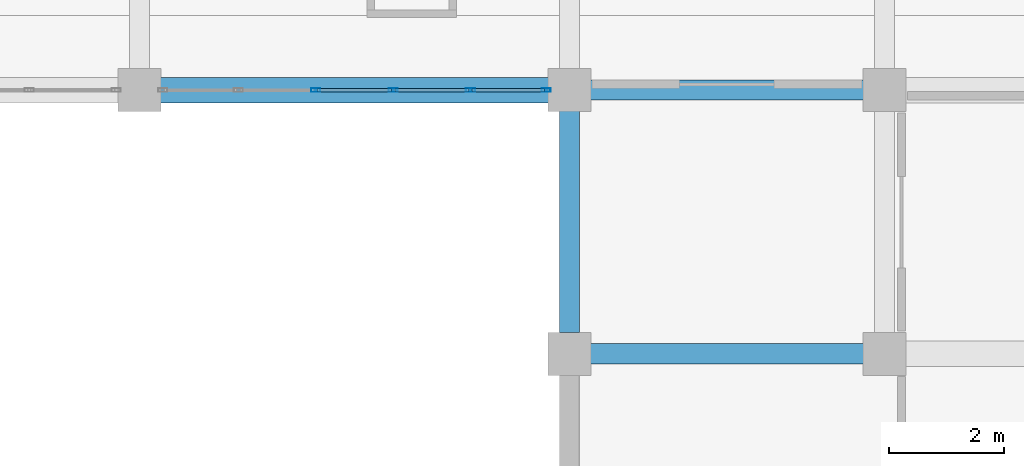
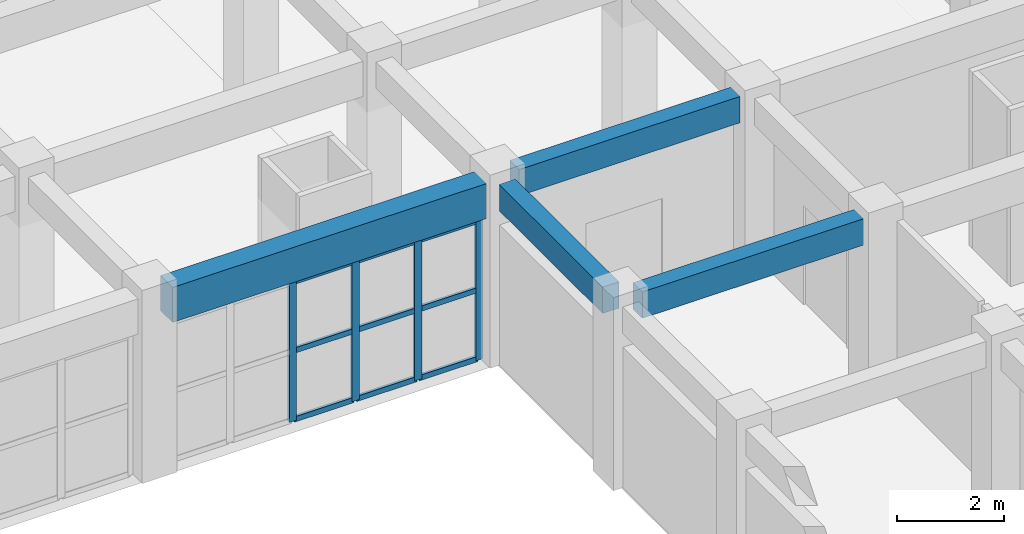
# One storey, part 69 of 116: 13 members, 4 beams, 1 element without a shape of its own.
"""IFC4 building model written with IfcOpenShell, lengths in metres."""

from ifc_helpers import new_model, si_unit, direction, frame, origin, origin_2d, place, context, subcontext, project, spatial, rectangle, hollow_rectangle, extrude, material, layer, layer_set, material_profile, profile_set, type_object, element, aggregate, save


model = new_model("IFC4")

# Units and contexts
model_context = context("Model", 3, precision=1e-05, world=origin(), true_north=direction((0.0, 1.0)))
body_context = subcontext(model_context, "Body", "Model", "MODEL_VIEW")
ifc_project = project(units=[si_unit("LENGTHUNIT", "METRE"), si_unit("AREAUNIT", "SQUARE_METRE"), si_unit("VOLUMEUNIT", "CUBIC_METRE"), si_unit("PLANEANGLEUNIT", "RADIAN"), si_unit("MASSUNIT", "GRAM", prefix="KILO")], contexts=[model_context])

# Site, building, storey
site_placement = place(None, origin())
site = spatial("IfcSite", under=ifc_project, at=site_placement, CompositionType="ELEMENT")
building_placement = place(site_placement, origin())
building = spatial("IfcBuilding", under=site, at=building_placement, Name="Muzn Square Opera House", CompositionType="ELEMENT")
storey_placement = place(building_placement, frame((0.0, 0.0, 5.39990234375)))
storey = spatial("IfcBuildingStorey", under=building, at=storey_placement, Name="L01", CompositionType="ELEMENT", Elevation=5.39990234375)

# Curtain wall, members
ifc_material_1 = material(Name="Low-E laminated acoustic double glazing", Category="glass")
ifc_layer = layer(ifc_material_1, 0.159912109375, Name="Low-E laminated acoustic double glazing", Category="glass")
ifc_layer_set = layer_set([ifc_layer], Name="Low-E laminated acoustic double glazing")
curtain_wall_type = type_object("IfcCurtainWallType", Name="Glazed Curtain Wall EastCloisterN 6750x3200", PredefinedType="USERDEFINED", material=ifc_layer_set)
curtain_wall_placement = place(storey_placement, origin())
curtain_wall = element("IfcCurtainWall", 1, at=curtain_wall_placement, inside=storey, type_object=curtain_wall_type, Name="Glazed Curtain Wall CW-L01-092", ObjectType="GLAZED CURTAIN WALL", PredefinedType="USERDEFINED")
ifc_material_2 = material(Name="Anodised bronze aluminium 6063-T6", Category="metal")
ifc_material_profile_1 = material_profile(ifc_material_2, hollow_rectangle(XDim=0.06005859375, YDim=0.159912109375, WallThickness=0.00390625, at=origin_2d()), Name="ALU 160x60x4", Category="metal")
ifc_profile_set_1 = profile_set([ifc_material_profile_1], Name="Anodised bronze aluminium 6063-T6")
member_type_1 = type_object("IfcMemberType", Name="Curtain Wall Mullion 160x60", PredefinedType="MULLION", material=ifc_profile_set_1)
member_1_placement = place(storey_placement, frame((152.574951171875, 54.199951171875, 0.0), z_axis=(0.0, 0.0, 1.0), x_axis=(0.0, 1.0, 0.0)))
member_1 = element("IfcMember", 2, at=member_1_placement, type_object=member_type_1, Name="CW-ECN-67x32 mullion 3", PredefinedType="MULLION", context=body_context, shape_type="SweptSolid", body=[
    extrude(hollow_rectangle(XDim=0.06005859375, YDim=0.159912109375, WallThickness=0.00390625, at=origin_2d()), origin(), (0.0, 0.0, 1.0), 3.2001953125),
])
member_2_placement = place(storey_placement, frame((153.925048828125, 54.199951171875, 0.0), z_axis=(0.0, 0.0, 1.0), x_axis=(0.0, 1.0, 0.0)))
member_2 = element("IfcMember", 3, at=member_2_placement, type_object=member_type_1, Name="CW-ECN-67x32 mullion 4", PredefinedType="MULLION", context=body_context, shape_type="SweptSolid", body=[
    extrude(hollow_rectangle(XDim=0.06005859375, YDim=0.159912109375, WallThickness=0.00390625, at=origin_2d()), origin(), (0.0, 0.0, 1.0), 3.2001953125),
])
member_3_placement = place(storey_placement, frame((155.27490234375, 54.199951171875, 0.0), z_axis=(0.0, 0.0, 1.0), x_axis=(0.0, 1.0, 0.0)))
member_3 = element("IfcMember", 4, at=member_3_placement, type_object=member_type_1, Name="CW-ECN-67x32 mullion 5", PredefinedType="MULLION", context=body_context, shape_type="SweptSolid", body=[
    extrude(hollow_rectangle(XDim=0.06005859375, YDim=0.159912109375, WallThickness=0.00390625, at=origin_2d()), origin(), (0.0, 0.0, 1.0), 3.2001953125),
])
member_4_placement = place(storey_placement, frame((156.594970703125, 54.199951171875, 0.0), z_axis=(0.0, 0.0, 1.0), x_axis=(0.0, 1.0, 0.0)))
member_4 = element("IfcMember", 5, at=member_4_placement, type_object=member_type_1, Name="CW-ECN-67x32 mullion 6", PredefinedType="MULLION", context=body_context, shape_type="SweptSolid", body=[
    extrude(hollow_rectangle(XDim=0.06005859375, YDim=0.159912109375, WallThickness=0.00390625, at=origin_2d()), origin(), (0.0, 0.0, 1.0), 3.2001953125),
])
ifc_material_profile_2 = material_profile(ifc_material_2, hollow_rectangle(XDim=0.06005859375, YDim=0.1201171875, WallThickness=0.00390625, at=origin_2d()), Name="ALU 120x60x4", Category="metal")
ifc_profile_set_2 = profile_set([ifc_material_profile_2], Name="Anodised bronze aluminium 6063-T6")
member_type_2 = type_object("IfcMemberType", Name="Curtain Wall Transom 120x60", PredefinedType="USERDEFINED", material=ifc_profile_set_2)
member_5_placement = place(storey_placement, frame((152.60498046875, 54.199951171875, 0.030029296875), z_axis=(1.0, 0.0, 0.0), x_axis=(0.0, 1.0, 0.0)))
member_5 = element("IfcMember", 6, at=member_5_placement, type_object=member_type_2, Name="CW-ECN-67x32 transom 3.1", ObjectType="TRANSOM", PredefinedType="USERDEFINED", context=body_context, shape_type="SweptSolid", body=[
    extrude(hollow_rectangle(XDim=0.06005859375, YDim=0.1201171875, WallThickness=0.00390625, at=origin_2d()), origin(), (0.0, 0.0, 1.0), 1.2900390625),
])
member_6_placement = place(storey_placement, frame((152.60498046875, 54.199951171875, 1.60009765625), z_axis=(1.0, 0.0, 0.0), x_axis=(0.0, 1.0, 0.0)))
member_6 = element("IfcMember", 7, at=member_6_placement, type_object=member_type_2, Name="CW-ECN-67x32 transom 3.2", ObjectType="TRANSOM", PredefinedType="USERDEFINED", context=body_context, shape_type="SweptSolid", body=[
    extrude(hollow_rectangle(XDim=0.06005859375, YDim=0.1201171875, WallThickness=0.00390625, at=origin_2d()), origin(), (0.0, 0.0, 1.0), 1.2900390625),
])
member_7_placement = place(storey_placement, frame((152.60498046875, 54.199951171875, 3.170166015625), z_axis=(1.0, 0.0, 0.0), x_axis=(0.0, 1.0, 0.0)))
member_7 = element("IfcMember", 8, at=member_7_placement, type_object=member_type_2, Name="CW-ECN-67x32 transom 3.3", ObjectType="TRANSOM", PredefinedType="USERDEFINED", context=body_context, shape_type="SweptSolid", body=[
    extrude(hollow_rectangle(XDim=0.06005859375, YDim=0.1201171875, WallThickness=0.00390625, at=origin_2d()), origin(), (0.0, 0.0, 1.0), 1.2900390625),
])
member_8_placement = place(storey_placement, frame((153.955078125, 54.199951171875, 0.030029296875), z_axis=(1.0, 0.0, 0.0), x_axis=(0.0, 1.0, 0.0)))
member_8 = element("IfcMember", 9, at=member_8_placement, type_object=member_type_2, Name="CW-ECN-67x32 transom 4.1", ObjectType="TRANSOM", PredefinedType="USERDEFINED", context=body_context, shape_type="SweptSolid", body=[
    extrude(hollow_rectangle(XDim=0.06005859375, YDim=0.1201171875, WallThickness=0.00390625, at=origin_2d()), origin(), (0.0, 0.0, 1.0), 1.2900390625),
])
member_9_placement = place(storey_placement, frame((153.955078125, 54.199951171875, 1.60009765625), z_axis=(1.0, 0.0, 0.0), x_axis=(0.0, 1.0, 0.0)))
member_9 = element("IfcMember", 10, at=member_9_placement, type_object=member_type_2, Name="CW-ECN-67x32 transom 4.2", ObjectType="TRANSOM", PredefinedType="USERDEFINED", context=body_context, shape_type="SweptSolid", body=[
    extrude(hollow_rectangle(XDim=0.06005859375, YDim=0.1201171875, WallThickness=0.00390625, at=origin_2d()), origin(), (0.0, 0.0, 1.0), 1.2900390625),
])
member_10_placement = place(storey_placement, frame((153.955078125, 54.199951171875, 3.170166015625), z_axis=(1.0, 0.0, 0.0), x_axis=(0.0, 1.0, 0.0)))
member_10 = element("IfcMember", 11, at=member_10_placement, type_object=member_type_2, Name="CW-ECN-67x32 transom 4.3", ObjectType="TRANSOM", PredefinedType="USERDEFINED", context=body_context, shape_type="SweptSolid", body=[
    extrude(hollow_rectangle(XDim=0.06005859375, YDim=0.1201171875, WallThickness=0.00390625, at=origin_2d()), origin(), (0.0, 0.0, 1.0), 1.2900390625),
])
member_11_placement = place(storey_placement, frame((155.304931640625, 54.199951171875, 0.030029296875), z_axis=(1.0, 0.0, 0.0), x_axis=(0.0, 1.0, 0.0)))
member_11 = element("IfcMember", 12, at=member_11_placement, type_object=member_type_2, Name="CW-ECN-67x32 transom 5.1", ObjectType="TRANSOM", PredefinedType="USERDEFINED", context=body_context, shape_type="SweptSolid", body=[
    extrude(hollow_rectangle(XDim=0.06005859375, YDim=0.1201171875, WallThickness=0.00390625, at=origin_2d()), origin(), (0.0, 0.0, 1.0), 1.260009765625),
])
member_12_placement = place(storey_placement, frame((155.304931640625, 54.199951171875, 1.60009765625), z_axis=(1.0, 0.0, 0.0), x_axis=(0.0, 1.0, 0.0)))
member_12 = element("IfcMember", 13, at=member_12_placement, type_object=member_type_2, Name="CW-ECN-67x32 transom 5.2", ObjectType="TRANSOM", PredefinedType="USERDEFINED", context=body_context, shape_type="SweptSolid", body=[
    extrude(hollow_rectangle(XDim=0.06005859375, YDim=0.1201171875, WallThickness=0.00390625, at=origin_2d()), origin(), (0.0, 0.0, 1.0), 1.260009765625),
])
member_13_placement = place(storey_placement, frame((155.304931640625, 54.199951171875, 3.170166015625), z_axis=(1.0, 0.0, 0.0), x_axis=(0.0, 1.0, 0.0)))
member_13 = element("IfcMember", 14, at=member_13_placement, type_object=member_type_2, Name="CW-ECN-67x32 transom 5.3", ObjectType="TRANSOM", PredefinedType="USERDEFINED", context=body_context, shape_type="SweptSolid", body=[
    extrude(hollow_rectangle(XDim=0.06005859375, YDim=0.1201171875, WallThickness=0.00390625, at=origin_2d()), origin(), (0.0, 0.0, 1.0), 1.260009765625),
])
aggregate(curtain_wall, [member_1, member_2, member_3, member_4, member_5, member_6, member_7, member_8, member_9, member_10, member_11, member_12, member_13])

# Beams
ifc_material_3 = material(Name="Concrete C40/50", Category="concrete")
ifc_material_profile_3 = material_profile(ifc_material_3, rectangle(XDim=0.35009765625, YDim=0.60009765625, at=origin_2d()), Name="RCB 350x600", Category="concrete")
ifc_profile_set_3 = profile_set([ifc_material_profile_3], Name="Concrete C40/50")
beam_type_1 = type_object("IfcBeamType", Name="Primary Girder 350x600", PredefinedType="BEAM", material=ifc_profile_set_3)
for number, where, z_axis, x_axis, name in (
    (15, (157.366943359375, 49.60009765625, 3.85009765625), (1.0, 0.0, 0.0), (0.0, 1.0, 0.0), "Primary Girder BM-L01-BM-PG600-1574_496_1621_496-1365"),
    (16, (157.366943359375, 54.199951171875, 3.85009765625), (1.0, 0.0, 0.0), (0.0, 1.0, 0.0), "Primary Girder BM-L01-BM-PG600-1574_542_1621_542-1377"),
):
    element("IfcBeam", number, at=place(storey_placement, frame(where, z_axis=z_axis, x_axis=x_axis)), inside=storey, type_object=beam_type_1, Name=name, PredefinedType="BEAM", context=body_context, shape_type="SweptSolid", body=[
        extrude(rectangle(XDim=0.35009765625, YDim=0.60009765625, at=origin_2d()), origin(), (0.0, 0.0, 1.0), 4.76611328125),
    ])
beam_1_placement = place(storey_placement, frame((157.0, 49.967041015625, 3.820068359375), z_axis=(0.0, 1.0, 0.0), x_axis=(-1.0, 0.0, 0.0)))
element("IfcBeam", 17, at=beam_1_placement, inside=storey, type_object=beam_type_1, Name="Primary Girder BM-L01-BM-PG600-1570_500_1570_538-1744", PredefinedType="BEAM", context=body_context, shape_type="SweptSolid", body=[
    extrude(rectangle(XDim=0.35009765625, YDim=0.60009765625, at=origin_2d()), origin(), (0.0, 0.0, 1.0), 3.865966796875),
])
ifc_material_profile_4 = material_profile(ifc_material_3, rectangle(XDim=0.449951171875, YDim=0.800048828125, at=origin_2d()), Name="RCB 450x800", Category="concrete")
ifc_profile_set_4 = profile_set([ifc_material_profile_4], Name="Concrete C40/50")
beam_type_2 = type_object("IfcBeamType", Name="Primary Girder 450x800", PredefinedType="BEAM", material=ifc_profile_set_4)
beam_2_placement = place(storey_placement, frame((149.866943359375, 54.199951171875, 3.72021484375), z_axis=(1.0, 0.0, 0.0), x_axis=(0.0, 1.0, 0.0)))
element("IfcBeam", 18, at=beam_2_placement, inside=storey, type_object=beam_type_2, Name="Primary Girder BM-L01-BM-PG800-1499_542_1566_542-1376", PredefinedType="BEAM", context=body_context, shape_type="SweptSolid", body=[
    extrude(rectangle(XDim=0.449951171875, YDim=0.800048828125, at=origin_2d()), origin(), (0.0, 0.0, 1.0), 6.76611328125),
])

save(model, "model.ifc")
